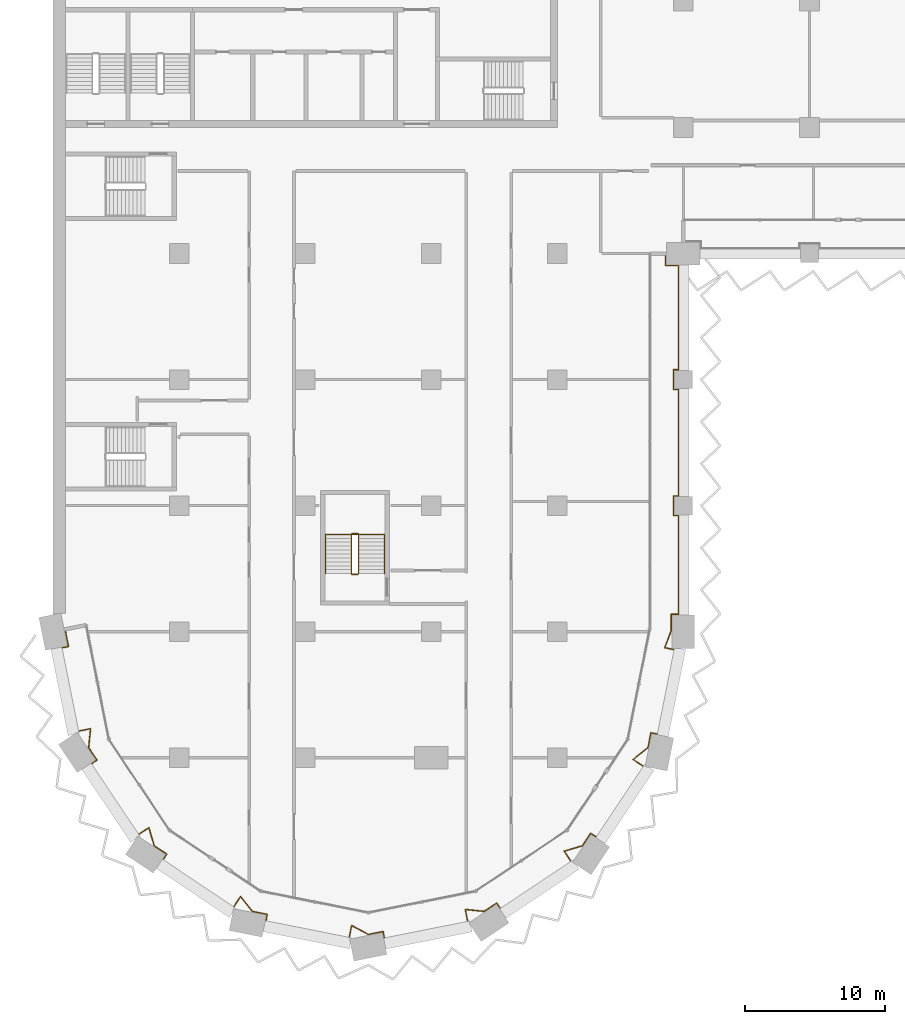
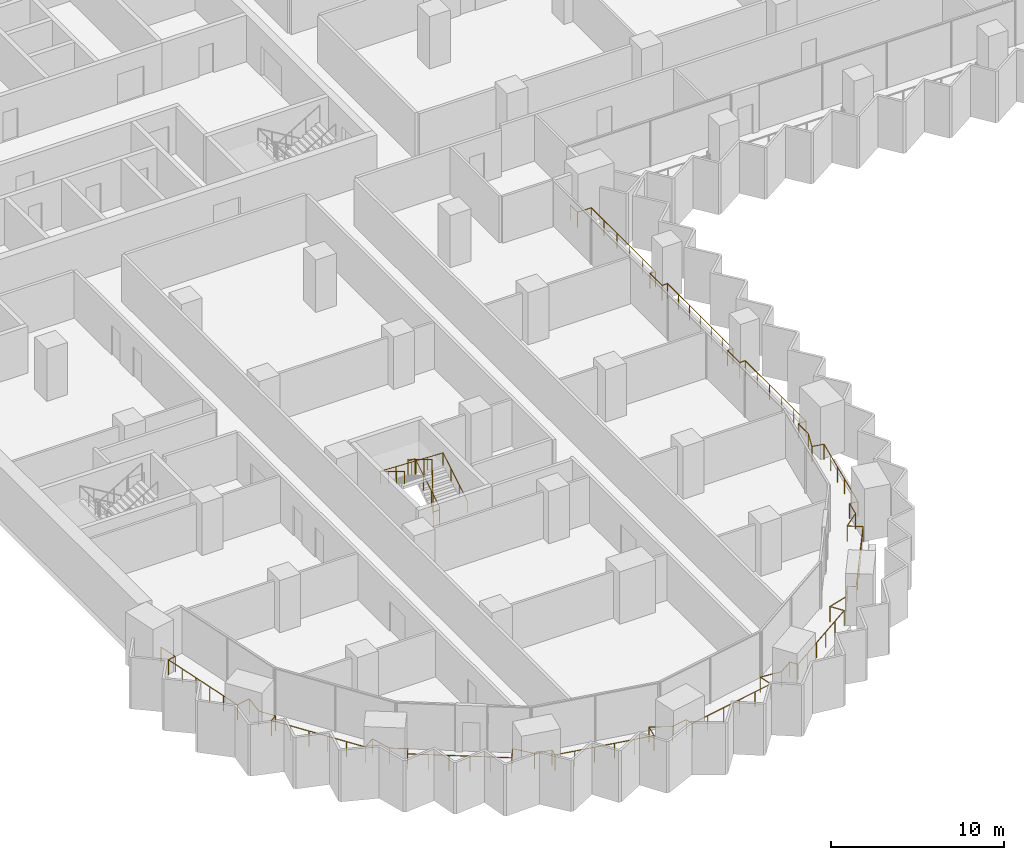
# One storey, part 25 of 29: 3 railings.
"""IFC4 building model written with IfcOpenShell, lengths in metres."""

from ifc_helpers import new_model, si_unit, direction, frame, origin, origin_2d, place, context, subcontext, project, spatial, circle, extrude, material, type_object, element, save


model = new_model("IFC4")

# Units and contexts
model_context = context("Model", 3, precision=1e-05, world=origin(), true_north=direction((0.0, 1.0)))
body_context = subcontext(model_context, "Body", "Model", "MODEL_VIEW")
ifc_project = project(units=[si_unit("LENGTHUNIT", "METRE"), si_unit("AREAUNIT", "SQUARE_METRE"), si_unit("VOLUMEUNIT", "CUBIC_METRE"), si_unit("PLANEANGLEUNIT", "RADIAN"), si_unit("MASSUNIT", "GRAM", prefix="KILO")], contexts=[model_context])

# Site, building, storey
site_placement = place(None, origin())
site = spatial("IfcSite", under=ifc_project, at=site_placement, CompositionType="ELEMENT")
building_placement = place(site_placement, origin())
building = spatial("IfcBuilding", under=site, at=building_placement, Name="Hunhe Ridgeline Campus", CompositionType="ELEMENT")
storey_placement = place(building_placement, frame((0.0, 0.0, 69.10009765625)))
storey = spatial("IfcBuildingStorey", under=building, at=storey_placement, Name="L16", CompositionType="ELEMENT", Elevation=69.10009765625)

# Railings
ifc_material_1 = material(Name="Steel Q355", Category="steel")
railing_type_1 = type_object("IfcRailingType", Name="Loggia guard 1100 Steel Q355", PredefinedType="GUARDRAIL", material=ifc_material_1)
railing_1_placement = place(storey_placement, frame((0.853271484375, 27.169677734375, 0.0)))
element("IfcRailing", 1, at=railing_1_placement, inside=storey, type_object=railing_type_1, Name="Loggia guard 1", PredefinedType="GUARDRAIL", context=body_context, shape_type="SweptSolid", body=[
    extrude(circle(Radius=0.02392578125, at=origin_2d()), frame((0.0, 0.0, 1.076171875), z_axis=(0.195139364365, -0.980775523999, 0.0), x_axis=(0.980775523999, 0.195139364365, 0.0)), (0.0, 0.0, 1.0), 1.249755859375),
    extrude(circle(Radius=0.02392578125, at=origin_2d()), frame((0.243896484375, -1.225830078125, 1.076171875), z_axis=(-0.980742851189, -0.195303506986, 0.0), x_axis=(0.195303506986, -0.980742851189, 0.0)), (0.0, 0.0, 1.0), 0.52001953125),
    extrude(circle(Radius=0.02392578125, at=origin_2d()), frame((-0.26611328125, -1.327392578125, 1.076171875), z_axis=(0.195094074844, -0.980784533912, 0.0), x_axis=(0.980784533912, 0.195094074844, 0.0)), (0.0, 0.0, 1.0), 6.064208984375),
    extrude(circle(Radius=0.02392578125, at=origin_2d()), frame((0.9169921875, -7.275146484375, 1.076171875), z_axis=(0.980774480174, 0.195144610585, 0.0), x_axis=(-0.195144610585, 0.980774480174, 0.0)), (0.0, 0.0, 1.0), 0.918212890625),
    extrude(circle(Radius=0.02392578125, at=origin_2d()), frame((1.817626953125, -7.095947265625, 1.076171875), z_axis=(-0.102578746514, -0.994724886973, 0.0), x_axis=(0.994724886973, -0.102578746514, 0.0)), (0.0, 0.0, 1.0), 1.351806640625),
    extrude(circle(Radius=0.02392578125, at=origin_2d()), frame((1.678955078125, -8.440673828125, 1.076171875), z_axis=(0.555693885997, -0.831386976724, 0.0), x_axis=(0.831386976724, 0.555693885997, 0.0)), (0.0, 0.0, 1.0), 1.076904296875),
    extrude(circle(Radius=0.02392578125, at=origin_2d()), frame((2.27734375, -9.3359375, 1.076171875), z_axis=(-0.831327417949, -0.555782982977, 0.0), x_axis=(0.555782982977, -0.831327417949, 0.0)), (0.0, 0.0, 1.0), 0.52001953125),
    extrude(circle(Radius=0.02392578125, at=origin_2d()), frame((1.844970703125, -9.625, 1.076171875), z_axis=(0.55557319973, -0.831467630002, 0.0), x_axis=(0.831467630002, 0.55557319973, 0.0)), (0.0, 0.0, 1.0), 6.064208984375),
    extrude(circle(Radius=0.02392578125, at=origin_2d()), frame((5.214111328125, -14.667236328125, 1.076171875), z_axis=(0.831395250422, 0.555681507318, 0.0), x_axis=(-0.555681507318, 0.831395250422, 0.0)), (0.0, 0.0, 1.0), 0.918212890625),
    extrude(circle(Radius=0.02392578125, at=origin_2d()), frame((5.9775390625, -14.156982421875, 1.076171875), z_axis=(0.285889499126, -0.958262591511, 0.0), x_axis=(0.958262591511, 0.285889499126, 0.0)), (0.0, 0.0, 1.0), 1.351806640625),
    extrude(circle(Radius=0.02392578125, at=origin_2d()), frame((6.364013671875, -15.452392578125, 1.076171875), z_axis=(0.831456967492, -0.555589156849, 0.0), x_axis=(0.555589156849, 0.831456967492, 0.0)), (0.0, 0.0, 1.0), 1.0771484375),
    extrude(circle(Radius=0.02392578125, at=origin_2d()), frame((7.259521484375, -16.05078125, 1.076171875), z_axis=(-0.555675381322, -0.831399344835, 0.0), x_axis=(0.831399344835, -0.555675381322, 0.0)), (0.0, 0.0, 1.0), 0.519775390625),
    extrude(circle(Radius=0.02392578125, at=origin_2d()), frame((6.970703125, -16.48291015625, 1.076171875), z_axis=(0.831467630002, -0.55557319973, 0.0), x_axis=(0.55557319973, 0.831467630002, 0.0)), (0.0, 0.0, 1.0), 6.064208984375),
    extrude(circle(Radius=0.02392578125, at=origin_2d()), frame((12.012939453125, -19.85205078125, 1.076171875), z_axis=(0.555497688072, 0.831518080709, 0.0), x_axis=(-0.831518080709, 0.555497688072, 0.0)), (0.0, 0.0, 1.0), 0.918212890625),
    extrude(circle(Radius=0.02392578125, at=origin_2d()), frame((12.52294921875, -19.088623046875, 1.076171875), z_axis=(0.630864561128, -0.775892972976, 0.0), x_axis=(0.775892972976, 0.630864561128, 0.0)), (0.0, 0.0, 1.0), 1.351806640625),
    extrude(circle(Radius=0.02392578125, at=origin_2d()), frame((13.375732421875, -20.137451171875, 1.076171875), z_axis=(0.980771998786, -0.195157081339, 0.0), x_axis=(0.195157081339, 0.980771998786, 0.0)), (0.0, 0.0, 1.0), 1.0771484375),
    extrude(circle(Radius=0.02392578125, at=origin_2d()), frame((14.43212890625, -20.34765625, 1.076171875), z_axis=(-0.195303506986, -0.980742851189, 0.0), x_axis=(0.980742851189, -0.195303506986, 0.0)), (0.0, 0.0, 1.0), 0.52001953125),
    extrude(circle(Radius=0.02392578125, at=origin_2d()), frame((14.33056640625, -20.857666015625, 1.076171875), z_axis=(0.980792236535, -0.195055347919, 0.0), x_axis=(0.195055347919, 0.980792236535, 0.0)), (0.0, 0.0, 1.0), 6.064208984375),
    extrude(circle(Radius=0.02392578125, at=origin_2d()), frame((20.2783203125, -22.04052734375, 1.076171875), z_axis=(0.195144610585, 0.980774480174, 0.0), x_axis=(-0.980774480174, 0.195144610585, 0.0)), (0.0, 0.0, 1.0), 0.918212890625),
    extrude(circle(Radius=0.02392578125, at=origin_2d()), frame((20.45751953125, -21.139892578125, 1.076171875), z_axis=(0.879704471732, -0.475520811757, 0.0), x_axis=(0.475520811757, 0.879704471732, 0.0)), (0.0, 0.0, 1.0), 1.351806640625),
    extrude(circle(Radius=0.02392578125, at=origin_2d()), frame((21.646728515625, -21.78271484375, 1.076171875), z_axis=(0.980763363144, 0.195200475189, 0.0), x_axis=(-0.195200475189, 0.980763363144, 0.0)), (0.0, 0.0, 1.0), 1.076904296875),
    extrude(circle(Radius=0.02392578125, at=origin_2d()), frame((22.702880859375, -21.572509765625, 1.076171875), z_axis=(0.195303506986, -0.980742851189, 0.0), x_axis=(0.980742851189, 0.195303506986, 0.0)), (0.0, 0.0, 1.0), 0.52001953125),
    extrude(circle(Radius=0.02392578125, at=origin_2d()), frame((22.804443359375, -22.08251953125, 1.076171875), z_axis=(0.980784533912, 0.195094074844, 0.0), x_axis=(-0.195094074844, 0.980784533912, 0.0)), (0.0, 0.0, 1.0), 6.064208984375),
    extrude(circle(Radius=0.02392578125, at=origin_2d()), frame((28.752197265625, -20.8994140625, 1.076171875), z_axis=(-0.195144610585, 0.980774480174, 0.0), x_axis=(-0.980774480174, -0.195144610585, 0.0)), (0.0, 0.0, 1.0), 0.918212890625),
    extrude(circle(Radius=0.02392578125, at=origin_2d()), frame((28.572998046875, -19.998779296875, 1.076171875), z_axis=(0.994724886973, -0.102578746514, 0.0), x_axis=(0.102578746514, 0.994724886973, 0.0)), (0.0, 0.0, 1.0), 1.351806640625),
    extrude(circle(Radius=0.02392578125, at=origin_2d()), frame((29.917724609375, -20.137451171875, 1.076171875), z_axis=(0.831386976724, 0.555693885997, 0.0), x_axis=(-0.555693885997, 0.831386976724, 0.0)), (0.0, 0.0, 1.0), 1.076904296875),
    extrude(circle(Radius=0.02392578125, at=origin_2d()), frame((30.81298828125, -19.5390625, 1.076171875), z_axis=(0.555782982977, -0.831327417949, 0.0), x_axis=(0.831327417949, 0.555782982977, 0.0)), (0.0, 0.0, 1.0), 0.52001953125),
    extrude(circle(Radius=0.02392578125, at=origin_2d()), frame((31.10205078125, -19.971435546875, 1.076171875), z_axis=(0.831467630002, 0.55557319973, 0.0), x_axis=(-0.55557319973, 0.831467630002, 0.0)), (0.0, 0.0, 1.0), 6.064208984375),
    extrude(circle(Radius=0.02392578125, at=origin_2d()), frame((36.144287109375, -16.602294921875, 1.076171875), z_axis=(-0.555681507318, 0.831395250422, 0.0), x_axis=(-0.831395250422, -0.555681507318, 0.0)), (0.0, 0.0, 1.0), 0.918212890625),
    extrude(circle(Radius=0.02392578125, at=origin_2d()), frame((35.634033203125, -15.8388671875, 1.076171875), z_axis=(0.958262591511, 0.285889499126, 0.0), x_axis=(-0.285889499126, 0.958262591511, 0.0)), (0.0, 0.0, 1.0), 1.351806640625),
    extrude(circle(Radius=0.02392578125, at=origin_2d()), frame((36.929443359375, -15.452392578125, 1.076171875), z_axis=(0.555589156849, 0.831456967492, 0.0), x_axis=(-0.831456967492, 0.555589156849, 0.0)), (0.0, 0.0, 1.0), 1.0771484375),
    extrude(circle(Radius=0.02392578125, at=origin_2d()), frame((37.52783203125, -14.556884765625, 1.076171875), z_axis=(0.831399344835, -0.555675381322, 0.0), x_axis=(0.555675381322, 0.831399344835, 0.0)), (0.0, 0.0, 1.0), 0.519775390625),
    extrude(circle(Radius=0.02392578125, at=origin_2d()), frame((37.9599609375, -14.845703125, 1.076171875), z_axis=(0.55557319973, 0.831467630002, 0.0), x_axis=(-0.831467630002, 0.55557319973, 0.0)), (0.0, 0.0, 1.0), 6.064208984375),
    extrude(circle(Radius=0.02392578125, at=origin_2d()), frame((41.3291015625, -9.803466796875, 1.076171875), z_axis=(-0.831518080709, 0.555497688072, 0.0), x_axis=(-0.555497688072, -0.831518080709, 0.0)), (0.0, 0.0, 1.0), 0.918212890625),
    extrude(circle(Radius=0.02392578125, at=origin_2d()), frame((40.565673828125, -9.29345703125, 1.076171875), z_axis=(0.775892972976, 0.630864561128, 0.0), x_axis=(-0.630864561128, 0.775892972976, 0.0)), (0.0, 0.0, 1.0), 1.351806640625),
    extrude(circle(Radius=0.02392578125, at=origin_2d()), frame((41.614501953125, -8.440673828125, 1.076171875), z_axis=(0.195157081339, 0.980771998786, 0.0), x_axis=(-0.980771998786, 0.195157081339, 0.0)), (0.0, 0.0, 1.0), 1.0771484375),
    extrude(circle(Radius=0.02392578125, at=origin_2d()), frame((41.82470703125, -7.38427734375, 1.076171875), z_axis=(0.980742851189, -0.195303506986, 0.0), x_axis=(0.195303506986, 0.980742851189, 0.0)), (0.0, 0.0, 1.0), 0.52001953125),
    extrude(circle(Radius=0.02392578125, at=origin_2d()), frame((42.334716796875, -7.48583984375, 1.076171875), z_axis=(0.19507712928, 0.980787904509, 0.0), x_axis=(-0.980787904509, 0.19507712928, 0.0)), (0.0, 0.0, 1.0), 6.146240234375),
    extrude(circle(Radius=0.02392578125, at=origin_2d()), frame((43.53369140625, -1.457763671875, 1.076171875), z_axis=(-0.980808789294, 0.194972097602, 0.0), x_axis=(-0.194972097602, -0.980808789294, 0.0)), (0.0, 0.0, 1.0), 0.73876953125),
    extrude(circle(Radius=0.02392578125, at=origin_2d()), frame((42.80908203125, -1.313720703125, 1.076171875), z_axis=(0.35537018301, 0.93472564586, 0.0), x_axis=(-0.93472564586, 0.35537018301, 0.0)), (0.0, 0.0, 1.0), 1.315673828125),
    extrude(circle(Radius=0.02392578125, at=origin_2d()), frame((43.276611328125, -0.083984375, 1.076171875), z_axis=(0.0, 1.0, 0.0), x_axis=(-1.0, 0.0, 0.0)), (0.0, 0.0, 1.0), 1.164306640625),
    extrude(circle(Radius=0.02392578125, at=origin_2d()), frame((43.276611328125, 1.080322265625, 1.076171875), z_axis=(1.0, 0.0, 0.0), x_axis=(0.0, 1.0, 0.0)), (0.0, 0.0, 1.0), 0.52001953125),
    extrude(circle(Radius=0.02392578125, at=origin_2d()), frame((43.796630859375, 1.080322265625, 1.076171875), z_axis=(0.0, 1.0, 0.0), x_axis=(-1.0, 0.0, 0.0)), (0.0, 0.0, 1.0), 7.050048828125),
    extrude(circle(Radius=0.02392578125, at=origin_2d()), frame((43.796630859375, 8.13037109375, 1.076171875), z_axis=(-1.0, 0.0, 0.0), x_axis=(0.0, -1.0, 0.0)), (0.0, 0.0, 1.0), 0.369873046875),
    extrude(circle(Radius=0.02392578125, at=origin_2d()), frame((43.4267578125, 8.13037109375, 1.076171875), z_axis=(0.0, 1.0, 0.0), x_axis=(-1.0, 0.0, 0.0)), (0.0, 0.0, 1.0), 1.39990234375),
    extrude(circle(Radius=0.02392578125, at=origin_2d()), frame((43.4267578125, 9.5302734375, 1.076171875), z_axis=(1.0, 0.0, 0.0), x_axis=(0.0, 1.0, 0.0)), (0.0, 0.0, 1.0), 0.369873046875),
    extrude(circle(Radius=0.02392578125, at=origin_2d()), frame((43.796630859375, 9.5302734375, 1.076171875), z_axis=(0.0, 1.0, 0.0), x_axis=(-1.0, 0.0, 0.0)), (0.0, 0.0, 1.0), 7.60009765625),
    extrude(circle(Radius=0.02392578125, at=origin_2d()), frame((43.796630859375, 17.13037109375, 1.076171875), z_axis=(-1.0, 0.0, 0.0), x_axis=(0.0, -1.0, 0.0)), (0.0, 0.0, 1.0), 0.369873046875),
    extrude(circle(Radius=0.02392578125, at=origin_2d()), frame((43.4267578125, 17.13037109375, 1.076171875), z_axis=(0.0, 1.0, 0.0), x_axis=(-1.0, 0.0, 0.0)), (0.0, 0.0, 1.0), 1.39990234375),
    extrude(circle(Radius=0.02392578125, at=origin_2d()), frame((43.4267578125, 18.5302734375, 1.076171875), z_axis=(1.0, 0.0, 0.0), x_axis=(0.0, 1.0, 0.0)), (0.0, 0.0, 1.0), 0.369873046875),
    extrude(circle(Radius=0.02392578125, at=origin_2d()), frame((43.796630859375, 18.5302734375, 1.076171875), z_axis=(0.0, 1.0, 0.0), x_axis=(-1.0, 0.0, 0.0)), (0.0, 0.0, 1.0), 7.449951171875),
    extrude(circle(Radius=0.02392578125, at=origin_2d()), frame((43.796630859375, 25.980224609375, 1.076171875), z_axis=(-1.0, 0.0, 0.0), x_axis=(0.0, -1.0, 0.0)), (0.0, 0.0, 1.0), 0.919921875),
    extrude(circle(Radius=0.02392578125, at=origin_2d()), frame((42.876708984375, 25.980224609375, 1.076171875), z_axis=(0.0, 1.0, 0.0), x_axis=(-1.0, 0.0, 0.0)), (0.0, 0.0, 1.0), 0.85009765625),
    extrude(circle(Radius=0.02099609375, at=origin_2d()), origin(), (0.0, 0.0, 1.0), 1.052001953125),
    extrude(circle(Radius=0.02099609375, at=origin_2d()), frame((0.243896484375, -1.225830078125, 0.0)), (0.0, 0.0, 1.0), 1.052001953125),
    extrude(circle(Radius=0.02099609375, at=origin_2d()), frame((-0.26611328125, -1.327392578125, 0.0)), (0.0, 0.0, 1.0), 1.052001953125),
    extrude(circle(Radius=0.02099609375, at=origin_2d()), frame((-0.029541015625, -2.516845703125, 0.0)), (0.0, 0.0, 1.0), 1.052001953125),
    extrude(circle(Radius=0.02099609375, at=origin_2d()), frame((0.20703125, -3.70654296875, 0.0)), (0.0, 0.0, 1.0), 1.052001953125),
    extrude(circle(Radius=0.02099609375, at=origin_2d()), frame((0.44384765625, -4.89599609375, 0.0)), (0.0, 0.0, 1.0), 1.052001953125),
    extrude(circle(Radius=0.02099609375, at=origin_2d()), frame((0.680419921875, -6.085693359375, 0.0)), (0.0, 0.0, 1.0), 1.052001953125),
    extrude(circle(Radius=0.02099609375, at=origin_2d()), frame((0.9169921875, -7.275146484375, 0.0)), (0.0, 0.0, 1.0), 1.052001953125),
    extrude(circle(Radius=0.02099609375, at=origin_2d()), frame((1.817626953125, -7.095947265625, 0.0)), (0.0, 0.0, 1.0), 1.052001953125),
    extrude(circle(Radius=0.02099609375, at=origin_2d()), frame((1.678955078125, -8.440673828125, 0.0)), (0.0, 0.0, 1.0), 1.052001953125),
    extrude(circle(Radius=0.02099609375, at=origin_2d()), frame((2.27734375, -9.3359375, 0.0)), (0.0, 0.0, 1.0), 1.052001953125),
    extrude(circle(Radius=0.02099609375, at=origin_2d()), frame((1.844970703125, -9.625, 0.0)), (0.0, 0.0, 1.0), 1.052001953125),
    extrude(circle(Radius=0.02099609375, at=origin_2d()), frame((2.518798828125, -10.633544921875, 0.0)), (0.0, 0.0, 1.0), 1.052001953125),
    extrude(circle(Radius=0.02099609375, at=origin_2d()), frame((3.192626953125, -11.641845703125, 0.0)), (0.0, 0.0, 1.0), 1.052001953125),
    extrude(circle(Radius=0.02099609375, at=origin_2d()), frame((3.866455078125, -12.650390625, 0.0)), (0.0, 0.0, 1.0), 1.052001953125),
    extrude(circle(Radius=0.02099609375, at=origin_2d()), frame((4.540283203125, -13.65869140625, 0.0)), (0.0, 0.0, 1.0), 1.052001953125),
    extrude(circle(Radius=0.02099609375, at=origin_2d()), frame((5.214111328125, -14.667236328125, 0.0)), (0.0, 0.0, 1.0), 1.052001953125),
    extrude(circle(Radius=0.02099609375, at=origin_2d()), frame((5.9775390625, -14.156982421875, 0.0)), (0.0, 0.0, 1.0), 1.052001953125),
    extrude(circle(Radius=0.02099609375, at=origin_2d()), frame((6.364013671875, -15.452392578125, 0.0)), (0.0, 0.0, 1.0), 1.052001953125),
    extrude(circle(Radius=0.02099609375, at=origin_2d()), frame((7.259521484375, -16.05078125, 0.0)), (0.0, 0.0, 1.0), 1.052001953125),
    extrude(circle(Radius=0.02099609375, at=origin_2d()), frame((6.970703125, -16.48291015625, 0.0)), (0.0, 0.0, 1.0), 1.052001953125),
    extrude(circle(Radius=0.02099609375, at=origin_2d()), frame((7.979248046875, -17.15673828125, 0.0)), (0.0, 0.0, 1.0), 1.052001953125),
    extrude(circle(Radius=0.02099609375, at=origin_2d()), frame((8.987548828125, -17.83056640625, 0.0)), (0.0, 0.0, 1.0), 1.052001953125),
    extrude(circle(Radius=0.02099609375, at=origin_2d()), frame((9.99609375, -18.50439453125, 0.0)), (0.0, 0.0, 1.0), 1.052001953125),
    extrude(circle(Radius=0.02099609375, at=origin_2d()), frame((11.00439453125, -19.17822265625, 0.0)), (0.0, 0.0, 1.0), 1.052001953125),
    extrude(circle(Radius=0.02099609375, at=origin_2d()), frame((12.012939453125, -19.85205078125, 0.0)), (0.0, 0.0, 1.0), 1.052001953125),
    extrude(circle(Radius=0.02099609375, at=origin_2d()), frame((12.52294921875, -19.088623046875, 0.0)), (0.0, 0.0, 1.0), 1.052001953125),
    extrude(circle(Radius=0.02099609375, at=origin_2d()), frame((13.375732421875, -20.137451171875, 0.0)), (0.0, 0.0, 1.0), 1.052001953125),
    extrude(circle(Radius=0.02099609375, at=origin_2d()), frame((14.43212890625, -20.34765625, 0.0)), (0.0, 0.0, 1.0), 1.052001953125),
    extrude(circle(Radius=0.02099609375, at=origin_2d()), frame((14.33056640625, -20.857666015625, 0.0)), (0.0, 0.0, 1.0), 1.052001953125),
    extrude(circle(Radius=0.02099609375, at=origin_2d()), frame((15.52001953125, -21.09423828125, 0.0)), (0.0, 0.0, 1.0), 1.052001953125),
    extrude(circle(Radius=0.02099609375, at=origin_2d()), frame((16.709716796875, -21.330810546875, 0.0)), (0.0, 0.0, 1.0), 1.052001953125),
    extrude(circle(Radius=0.02099609375, at=origin_2d()), frame((17.899169921875, -21.5673828125, 0.0)), (0.0, 0.0, 1.0), 1.052001953125),
    extrude(circle(Radius=0.02099609375, at=origin_2d()), frame((19.0888671875, -21.803955078125, 0.0)), (0.0, 0.0, 1.0), 1.052001953125),
    extrude(circle(Radius=0.02099609375, at=origin_2d()), frame((20.2783203125, -22.04052734375, 0.0)), (0.0, 0.0, 1.0), 1.052001953125),
    extrude(circle(Radius=0.02099609375, at=origin_2d()), frame((20.45751953125, -21.139892578125, 0.0)), (0.0, 0.0, 1.0), 1.052001953125),
    extrude(circle(Radius=0.02099609375, at=origin_2d()), frame((21.646728515625, -21.78271484375, 0.0)), (0.0, 0.0, 1.0), 1.052001953125),
    extrude(circle(Radius=0.02099609375, at=origin_2d()), frame((22.702880859375, -21.572509765625, 0.0)), (0.0, 0.0, 1.0), 1.052001953125),
    extrude(circle(Radius=0.02099609375, at=origin_2d()), frame((22.804443359375, -22.08251953125, 0.0)), (0.0, 0.0, 1.0), 1.052001953125),
    extrude(circle(Radius=0.02099609375, at=origin_2d()), frame((23.993896484375, -21.845947265625, 0.0)), (0.0, 0.0, 1.0), 1.052001953125),
    extrude(circle(Radius=0.02099609375, at=origin_2d()), frame((25.18359375, -21.609375, 0.0)), (0.0, 0.0, 1.0), 1.052001953125),
    extrude(circle(Radius=0.02099609375, at=origin_2d()), frame((26.373046875, -21.37255859375, 0.0)), (0.0, 0.0, 1.0), 1.052001953125),
    extrude(circle(Radius=0.02099609375, at=origin_2d()), frame((27.562744140625, -21.135986328125, 0.0)), (0.0, 0.0, 1.0), 1.052001953125),
    extrude(circle(Radius=0.02099609375, at=origin_2d()), frame((28.752197265625, -20.8994140625, 0.0)), (0.0, 0.0, 1.0), 1.052001953125),
    extrude(circle(Radius=0.02099609375, at=origin_2d()), frame((28.572998046875, -19.998779296875, 0.0)), (0.0, 0.0, 1.0), 1.052001953125),
    extrude(circle(Radius=0.02099609375, at=origin_2d()), frame((29.917724609375, -20.137451171875, 0.0)), (0.0, 0.0, 1.0), 1.052001953125),
    extrude(circle(Radius=0.02099609375, at=origin_2d()), frame((30.81298828125, -19.5390625, 0.0)), (0.0, 0.0, 1.0), 1.052001953125),
    extrude(circle(Radius=0.02099609375, at=origin_2d()), frame((31.10205078125, -19.971435546875, 0.0)), (0.0, 0.0, 1.0), 1.052001953125),
    extrude(circle(Radius=0.02099609375, at=origin_2d()), frame((32.110595703125, -19.297607421875, 0.0)), (0.0, 0.0, 1.0), 1.052001953125),
    extrude(circle(Radius=0.02099609375, at=origin_2d()), frame((33.118896484375, -18.623779296875, 0.0)), (0.0, 0.0, 1.0), 1.052001953125),
    extrude(circle(Radius=0.02099609375, at=origin_2d()), frame((34.12744140625, -17.949951171875, 0.0)), (0.0, 0.0, 1.0), 1.052001953125),
    extrude(circle(Radius=0.02099609375, at=origin_2d()), frame((35.1357421875, -17.276123046875, 0.0)), (0.0, 0.0, 1.0), 1.052001953125),
    extrude(circle(Radius=0.02099609375, at=origin_2d()), frame((36.144287109375, -16.602294921875, 0.0)), (0.0, 0.0, 1.0), 1.052001953125),
    extrude(circle(Radius=0.02099609375, at=origin_2d()), frame((35.634033203125, -15.8388671875, 0.0)), (0.0, 0.0, 1.0), 1.052001953125),
    extrude(circle(Radius=0.02099609375, at=origin_2d()), frame((36.929443359375, -15.452392578125, 0.0)), (0.0, 0.0, 1.0), 1.052001953125),
    extrude(circle(Radius=0.02099609375, at=origin_2d()), frame((37.52783203125, -14.556884765625, 0.0)), (0.0, 0.0, 1.0), 1.052001953125),
    extrude(circle(Radius=0.02099609375, at=origin_2d()), frame((37.9599609375, -14.845703125, 0.0)), (0.0, 0.0, 1.0), 1.052001953125),
    extrude(circle(Radius=0.02099609375, at=origin_2d()), frame((38.6337890625, -13.837158203125, 0.0)), (0.0, 0.0, 1.0), 1.052001953125),
    extrude(circle(Radius=0.02099609375, at=origin_2d()), frame((39.3076171875, -12.828857421875, 0.0)), (0.0, 0.0, 1.0), 1.052001953125),
    extrude(circle(Radius=0.02099609375, at=origin_2d()), frame((39.9814453125, -11.8203125, 0.0)), (0.0, 0.0, 1.0), 1.052001953125),
    extrude(circle(Radius=0.02099609375, at=origin_2d()), frame((40.6552734375, -10.81201171875, 0.0)), (0.0, 0.0, 1.0), 1.052001953125),
    extrude(circle(Radius=0.02099609375, at=origin_2d()), frame((41.3291015625, -9.803466796875, 0.0)), (0.0, 0.0, 1.0), 1.052001953125),
    extrude(circle(Radius=0.02099609375, at=origin_2d()), frame((40.565673828125, -9.29345703125, 0.0)), (0.0, 0.0, 1.0), 1.052001953125),
    extrude(circle(Radius=0.02099609375, at=origin_2d()), frame((41.614501953125, -8.440673828125, 0.0)), (0.0, 0.0, 1.0), 1.052001953125),
    extrude(circle(Radius=0.02099609375, at=origin_2d()), frame((41.82470703125, -7.38427734375, 0.0)), (0.0, 0.0, 1.0), 1.052001953125),
    extrude(circle(Radius=0.02099609375, at=origin_2d()), frame((42.334716796875, -7.48583984375, 0.0)), (0.0, 0.0, 1.0), 1.052001953125),
    extrude(circle(Radius=0.02099609375, at=origin_2d()), frame((42.574462890625, -6.2802734375, 0.0)), (0.0, 0.0, 1.0), 1.052001953125),
    extrude(circle(Radius=0.02099609375, at=origin_2d()), frame((42.814208984375, -5.07470703125, 0.0)), (0.0, 0.0, 1.0), 1.052001953125),
    extrude(circle(Radius=0.02099609375, at=origin_2d()), frame((43.05419921875, -3.868896484375, 0.0)), (0.0, 0.0, 1.0), 1.052001953125),
    extrude(circle(Radius=0.02099609375, at=origin_2d()), frame((43.2939453125, -2.663330078125, 0.0)), (0.0, 0.0, 1.0), 1.052001953125),
    extrude(circle(Radius=0.02099609375, at=origin_2d()), frame((43.53369140625, -1.457763671875, 0.0)), (0.0, 0.0, 1.0), 1.052001953125),
    extrude(circle(Radius=0.02099609375, at=origin_2d()), frame((42.80908203125, -1.313720703125, 0.0)), (0.0, 0.0, 1.0), 1.052001953125),
    extrude(circle(Radius=0.02099609375, at=origin_2d()), frame((43.276611328125, -0.083984375, 0.0)), (0.0, 0.0, 1.0), 1.052001953125),
    extrude(circle(Radius=0.02099609375, at=origin_2d()), frame((43.276611328125, 1.080322265625, 0.0)), (0.0, 0.0, 1.0), 1.052001953125),
    extrude(circle(Radius=0.02099609375, at=origin_2d()), frame((43.796630859375, 1.080322265625, 0.0)), (0.0, 0.0, 1.0), 1.052001953125),
    extrude(circle(Radius=0.02099609375, at=origin_2d()), frame((43.796630859375, 2.490234375, 0.0)), (0.0, 0.0, 1.0), 1.052001953125),
    extrude(circle(Radius=0.02099609375, at=origin_2d()), frame((43.796630859375, 3.900390625, 0.0)), (0.0, 0.0, 1.0), 1.052001953125),
    extrude(circle(Radius=0.02099609375, at=origin_2d()), frame((43.796630859375, 5.310302734375, 0.0)), (0.0, 0.0, 1.0), 1.052001953125),
    extrude(circle(Radius=0.02099609375, at=origin_2d()), frame((43.796630859375, 6.720458984375, 0.0)), (0.0, 0.0, 1.0), 1.052001953125),
    extrude(circle(Radius=0.02099609375, at=origin_2d()), frame((43.796630859375, 8.13037109375, 0.0)), (0.0, 0.0, 1.0), 1.052001953125),
    extrude(circle(Radius=0.02099609375, at=origin_2d()), frame((43.4267578125, 8.13037109375, 0.0)), (0.0, 0.0, 1.0), 1.052001953125),
    extrude(circle(Radius=0.02099609375, at=origin_2d()), frame((43.4267578125, 9.5302734375, 0.0)), (0.0, 0.0, 1.0), 1.052001953125),
    extrude(circle(Radius=0.02099609375, at=origin_2d()), frame((43.796630859375, 9.5302734375, 0.0)), (0.0, 0.0, 1.0), 1.052001953125),
    extrude(circle(Radius=0.02099609375, at=origin_2d()), frame((43.796630859375, 10.796875, 0.0)), (0.0, 0.0, 1.0), 1.052001953125),
    extrude(circle(Radius=0.02099609375, at=origin_2d()), frame((43.796630859375, 12.063720703125, 0.0)), (0.0, 0.0, 1.0), 1.052001953125),
    extrude(circle(Radius=0.02099609375, at=origin_2d()), frame((43.796630859375, 13.330322265625, 0.0)), (0.0, 0.0, 1.0), 1.052001953125),
    extrude(circle(Radius=0.02099609375, at=origin_2d()), frame((43.796630859375, 14.596923828125, 0.0)), (0.0, 0.0, 1.0), 1.052001953125),
    extrude(circle(Radius=0.02099609375, at=origin_2d()), frame((43.796630859375, 15.86376953125, 0.0)), (0.0, 0.0, 1.0), 1.052001953125),
    extrude(circle(Radius=0.02099609375, at=origin_2d()), frame((43.796630859375, 17.13037109375, 0.0)), (0.0, 0.0, 1.0), 1.052001953125),
    extrude(circle(Radius=0.02099609375, at=origin_2d()), frame((43.4267578125, 17.13037109375, 0.0)), (0.0, 0.0, 1.0), 1.052001953125),
    extrude(circle(Radius=0.02099609375, at=origin_2d()), frame((43.4267578125, 18.5302734375, 0.0)), (0.0, 0.0, 1.0), 1.052001953125),
    extrude(circle(Radius=0.02099609375, at=origin_2d()), frame((43.796630859375, 18.5302734375, 0.0)), (0.0, 0.0, 1.0), 1.052001953125),
    extrude(circle(Radius=0.02099609375, at=origin_2d()), frame((43.796630859375, 20.020263671875, 0.0)), (0.0, 0.0, 1.0), 1.052001953125),
    extrude(circle(Radius=0.02099609375, at=origin_2d()), frame((43.796630859375, 21.51025390625, 0.0)), (0.0, 0.0, 1.0), 1.052001953125),
    extrude(circle(Radius=0.02099609375, at=origin_2d()), frame((43.796630859375, 23.000244140625, 0.0)), (0.0, 0.0, 1.0), 1.052001953125),
    extrude(circle(Radius=0.02099609375, at=origin_2d()), frame((43.796630859375, 24.490234375, 0.0)), (0.0, 0.0, 1.0), 1.052001953125),
    extrude(circle(Radius=0.02099609375, at=origin_2d()), frame((43.796630859375, 25.980224609375, 0.0)), (0.0, 0.0, 1.0), 1.052001953125),
    extrude(circle(Radius=0.02099609375, at=origin_2d()), frame((42.876708984375, 25.980224609375, 0.0)), (0.0, 0.0, 1.0), 1.052001953125),
    extrude(circle(Radius=0.02099609375, at=origin_2d()), frame((42.876708984375, 26.830322265625, 0.0)), (0.0, 0.0, 1.0), 1.052001953125),
])
ifc_material_2 = material(Name="Stainless steel balustrade", Category="steel")
railing_type_2 = type_object("IfcRailingType", Name="Stair guard 1100 stainless", PredefinedType="GUARDRAIL", material=ifc_material_2)
railing_2_placement = place(storey_placement, frame((21.800048828125, 31.14990234375, 0.16796875)))
element("IfcRailing", 2, at=railing_2_placement, inside=storey, type_object=railing_type_2, Name="L16 stair W3 guard", PredefinedType="GUARDRAIL", context=body_context, shape_type="SweptSolid", body=[
    extrude(circle(Radius=0.02392578125, at=origin_2d()), frame((0.0, 0.0, 1.076171875), z_axis=(0.0, 0.857242210791, 0.514913383045), x_axis=(-1.0, 0.0, 0.0)), (0.0, 0.0, 1.0), 3.266357421875),
    extrude(circle(Radius=0.02392578125, at=origin_2d()), frame((0.0, 2.800048828125, 2.7578125), z_axis=(-0.707106781187, 0.707106781187, 0.0), x_axis=(-0.707106781187, -0.707106781187, 0.0)), (0.0, 0.0, 1.0), 0.07080078125),
    extrude(circle(Radius=0.02392578125, at=origin_2d()), frame((-0.050048828125, 2.85009765625, 2.7578125), z_axis=(-1.0, 0.0, 0.0), x_axis=(0.0, -1.0, 0.0)), (0.0, 0.0, 1.0), 0.39990234375),
    extrude(circle(Radius=0.02392578125, at=origin_2d()), frame((-0.449951171875, 2.85009765625, 2.7578125), z_axis=(-0.274243871929, -0.274243871929, 0.92172696468), x_axis=(0.707106781187, -0.707106781187, 0.0)), (0.0, 0.0, 1.0), 0.1826171875),
    extrude(circle(Radius=0.02392578125, at=origin_2d()), frame((-0.5, 2.800048828125, 2.92626953125), z_axis=(0.0, -0.857242210791, 0.514913383045), x_axis=(1.0, 0.0, 0.0)), (0.0, 0.0, 1.0), 3.266357421875),
    extrude(circle(Radius=0.02392578125, at=origin_2d()), frame((-0.5, 0.0, 4.60791015625), z_axis=(0.013524426427, -0.013458453615, -0.999817963389), x_axis=(0.705375805398, 0.708833529934, 0.0)), (0.0, 0.0, 1.0), 3.70068359375),
    extrude(circle(Radius=0.02392578125, at=origin_2d()), frame((-0.449951171875, -0.0498046875, 0.908203125), z_axis=(1.0, 0.0, 0.0), x_axis=(0.0, 1.0, 0.0)), (0.0, 0.0, 1.0), 0.39990234375),
    extrude(circle(Radius=0.02099609375, at=origin_2d()), origin(), (0.0, 0.0, 1.0), 1.052001953125),
    extrude(circle(Radius=0.02099609375, at=origin_2d()), frame((0.0, 0.933349609375, 0.560546875)), (0.0, 0.0, 1.0), 1.052001953125),
    extrude(circle(Radius=0.02099609375, at=origin_2d()), frame((0.0, 1.86669921875, 1.121337890625)), (0.0, 0.0, 1.0), 1.052001953125),
    extrude(circle(Radius=0.02099609375, at=origin_2d()), frame((0.0, 2.800048828125, 1.681884765625)), (0.0, 0.0, 1.0), 1.052001953125),
    extrude(circle(Radius=0.02099609375, at=origin_2d()), frame((-0.050048828125, 2.85009765625, 1.681884765625)), (0.0, 0.0, 1.0), 1.052001953125),
    extrude(circle(Radius=0.02099609375, at=origin_2d()), frame((-0.449951171875, 2.85009765625, 1.681884765625)), (0.0, 0.0, 1.0), 1.052001953125),
    extrude(circle(Radius=0.02099609375, at=origin_2d()), frame((-0.5, 2.800048828125, 1.85009765625)), (0.0, 0.0, 1.0), 1.052001953125),
    extrude(circle(Radius=0.02099609375, at=origin_2d()), frame((-0.5, 1.86669921875, 2.41064453125)), (0.0, 0.0, 1.0), 1.052001953125),
    extrude(circle(Radius=0.02099609375, at=origin_2d()), frame((-0.5, 0.933349609375, 2.971435546875)), (0.0, 0.0, 1.0), 1.052001953125),
    extrude(circle(Radius=0.02099609375, at=origin_2d()), frame((-0.5, 0.0, 3.531982421875)), (0.0, 0.0, 1.0), 1.052001953125),
    extrude(circle(Radius=0.02099609375, at=origin_2d()), frame((-0.487548828125, -0.012451171875, 2.60693359375)), (0.0, 0.0, 1.0), 1.052001953125),
    extrude(circle(Radius=0.02099609375, at=origin_2d()), frame((-0.47509765625, -0.02490234375, 1.68212890625)), (0.0, 0.0, 1.0), 1.052001953125),
    extrude(circle(Radius=0.02099609375, at=origin_2d()), frame((-0.46240234375, -0.037353515625, 0.757080078125)), (0.0, 0.0, 1.0), 1.052001953125),
    extrude(circle(Radius=0.02099609375, at=origin_2d()), frame((-0.449951171875, -0.0498046875, -0.16796875)), (0.0, 0.0, 1.0), 1.052001953125),
    extrude(circle(Radius=0.02099609375, at=origin_2d()), frame((-0.050048828125, -0.0498046875, -0.16796875)), (0.0, 0.0, 1.0), 1.052001953125),
])
ifc_material_3 = material(Name="Stainless steel handrail", Category="steel")
railing_type_3 = type_object("IfcRailingType", Name="Stair handrail 900 stainless", PredefinedType="HANDRAIL", material=ifc_material_3)
railing_3_placement = place(storey_placement, frame((23.64990234375, 31.14990234375, 0.16796875)))
element("IfcRailing", 3, at=railing_3_placement, inside=storey, type_object=railing_type_3, Name="L16 stair W3 handrail", PredefinedType="HANDRAIL", context=body_context, shape_type="SweptSolid", body=[
    extrude(circle(Radius=0.02392578125, at=origin_2d()), frame((0.0, 0.0, 0.8759765625), z_axis=(0.0, 0.857242210791, 0.514913383045), x_axis=(-1.0, 0.0, 0.0)), (0.0, 0.0, 1.0), 3.266357421875),
    extrude(circle(Radius=0.02392578125, at=origin_2d()), frame((0.0, 2.800048828125, 2.5576171875), z_axis=(-0.999198916169, 0.0, 0.040019069537), x_axis=(0.0, -1.0, 0.0)), (0.0, 0.0, 1.0), 4.203369140625),
    extrude(circle(Radius=0.02392578125, at=origin_2d()), frame((-4.199951171875, 2.800048828125, 2.72607421875), z_axis=(0.0, -0.857242210791, 0.514913383045), x_axis=(1.0, 0.0, 0.0)), (0.0, 0.0, 1.0), 3.266357421875),
    extrude(circle(Radius=0.02099609375, at=origin_2d()), origin(), (0.0, 0.0, 1.0), 0.851806640625),
    extrude(circle(Radius=0.02099609375, at=origin_2d()), frame((0.0, 0.933349609375, 0.560546875)), (0.0, 0.0, 1.0), 0.851806640625),
    extrude(circle(Radius=0.02099609375, at=origin_2d()), frame((0.0, 1.86669921875, 1.121337890625)), (0.0, 0.0, 1.0), 0.851806640625),
    extrude(circle(Radius=0.02099609375, at=origin_2d()), frame((0.0, 2.800048828125, 1.681884765625)), (0.0, 0.0, 1.0), 0.851806640625),
    extrude(circle(Radius=0.02099609375, at=origin_2d()), frame((-1.050048828125, 2.800048828125, 1.723876953125)), (0.0, 0.0, 1.0), 0.851806640625),
    extrude(circle(Radius=0.02099609375, at=origin_2d()), frame((-2.10009765625, 2.800048828125, 1.76611328125)), (0.0, 0.0, 1.0), 0.851806640625),
    extrude(circle(Radius=0.02099609375, at=origin_2d()), frame((-3.14990234375, 2.800048828125, 1.80810546875)), (0.0, 0.0, 1.0), 0.851806640625),
    extrude(circle(Radius=0.02099609375, at=origin_2d()), frame((-4.199951171875, 2.800048828125, 1.85009765625)), (0.0, 0.0, 1.0), 0.851806640625),
    extrude(circle(Radius=0.02099609375, at=origin_2d()), frame((-4.199951171875, 1.86669921875, 2.41064453125)), (0.0, 0.0, 1.0), 0.851806640625),
    extrude(circle(Radius=0.02099609375, at=origin_2d()), frame((-4.199951171875, 0.933349609375, 2.971435546875)), (0.0, 0.0, 1.0), 0.851806640625),
    extrude(circle(Radius=0.02099609375, at=origin_2d()), frame((-4.199951171875, 0.0, 3.531982421875)), (0.0, 0.0, 1.0), 0.851806640625),
])

save(model, "model.ifc")
